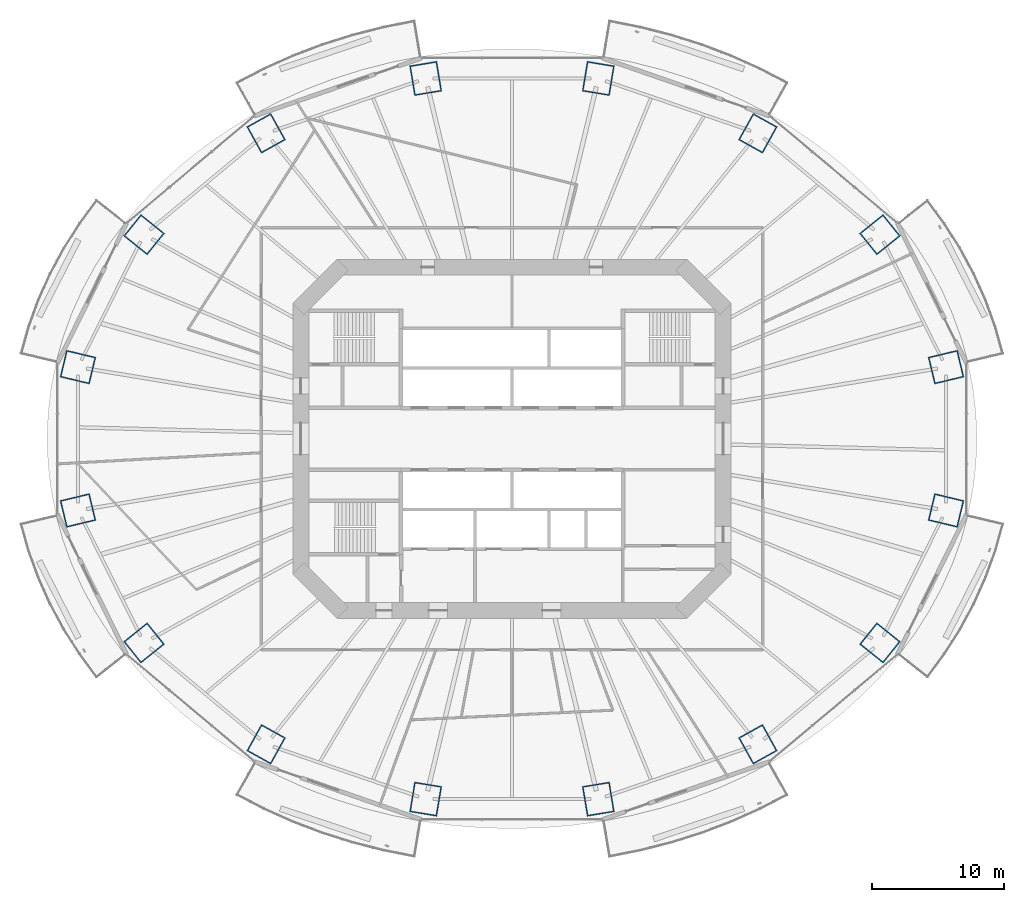
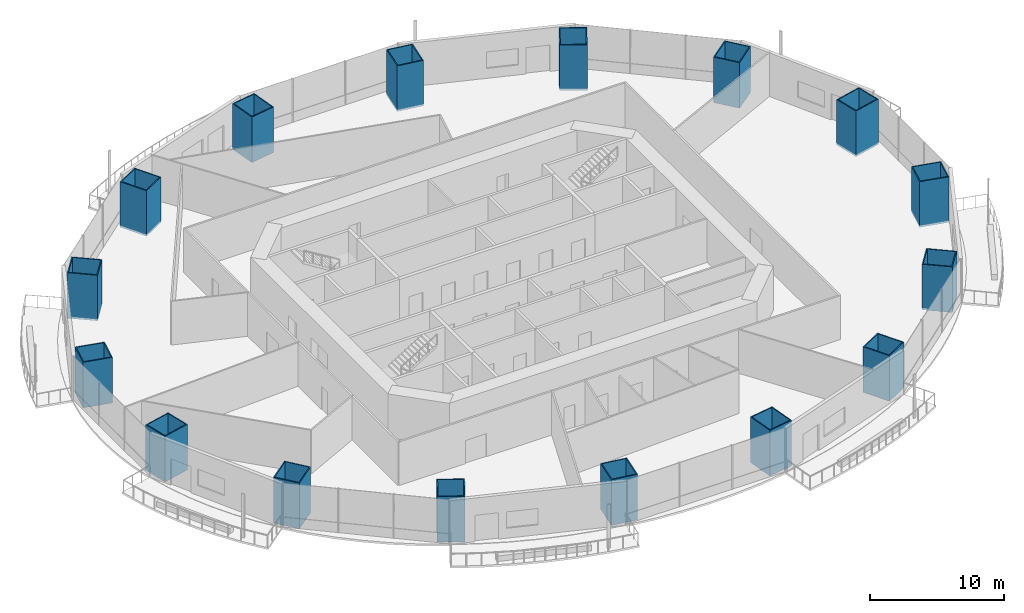
# One storey, part 1 of 22: 16 columns.
"""IFC4 building model written with IfcOpenShell, lengths in metres."""

from ifc_helpers import new_model, si_unit, direction, frame, origin, origin_2d, place, context, subcontext, project, spatial, rectangle, hollow_rectangle, extrude, material, material_profile, profile_set, type_object, element, save


model = new_model("IFC4")

# Units and contexts
model_context = context("Model", 3, precision=1e-05, world=origin(), true_north=direction((0.0, 1.0)))
body_context = subcontext(model_context, "Body", "Model", "MODEL_VIEW")
ifc_project = project(units=[si_unit("LENGTHUNIT", "METRE"), si_unit("AREAUNIT", "SQUARE_METRE"), si_unit("VOLUMEUNIT", "CUBIC_METRE"), si_unit("PLANEANGLEUNIT", "RADIAN"), si_unit("MASSUNIT", "GRAM", prefix="KILO")], contexts=[model_context])

# Site, building, storey
site_placement = place(None, origin())
site = spatial("IfcSite", under=ifc_project, at=site_placement, CompositionType="ELEMENT")
building_placement = place(site_placement, origin())
building = spatial("IfcBuilding", under=site, at=building_placement, Name="Marenthal Gate Tower", CompositionType="ELEMENT")
storey_placement = place(building_placement, frame((0.0, 0.0, 82.800048828125)))
storey = spatial("IfcBuildingStorey", under=building, at=storey_placement, Name="L16", CompositionType="ELEMENT", Elevation=82.800048828125)

# Columns
ifc_material_1 = material(Name="Steel S460", Category="steel")
ifc_material_profile_1 = material_profile(ifc_material_1, hollow_rectangle(XDim=2.10009765625, YDim=2.300048828125, WallThickness=0.0849609375, at=origin_2d()), Name="CFT BOX 2300X2100X85")
ifc_material_2 = material(Name="Concrete 70 MPa", Category="concrete")
ifc_material_profile_2 = material_profile(ifc_material_2, rectangle(XDim=1.929931640625, YDim=2.1298828125, at=origin_2d()), Name="CFT BOX 2300X2100X85 INFILL")
ifc_profile_set = profile_set([ifc_material_profile_1, ifc_material_profile_2], Name="Steel S460 shell, Concrete 70 MPa infill")
column_type = type_object("IfcColumnType", Name="CFT BOX 2300X2100X85", PredefinedType="COLUMN", material=ifc_profile_set)
for number, where, z_axis, x_axis, name in (
    (1, (32.88671875, 5.430908203125, -0.179931640625), (0.0, 0.0, 1.0), (0.232997303195, -0.972477381076, 0.0), "COL-L16-01"),
    (2, (27.8798828125, 15.466064453125, -0.179931640625), (0.0, 0.0, 1.0), (0.626984592904, -0.779031655494, 0.0), "COL-L16-02"),
    (3, (18.62890625, 23.146484375, -0.179931640625), (0.0, 0.0, 1.0), (0.874462276707, -0.485093523576, 0.0), "COL-L16-03"),
    (4, (6.54150390625, 27.302978515625, -0.179931640625), (0.0, 0.0, 1.0), (0.98663707662, -0.162933357659, 0.0), "COL-L16-04"),
    (5, (-6.54150390625, 27.302978515625, -0.179931640625), (0.0, 0.0, 1.0), (0.98663707662, 0.162933357659, 0.0), "COL-L16-05"),
    (6, (-18.62890625, 23.146484375, -0.179931640625), (0.0, 0.0, 1.0), (0.874462276707, 0.485093523576, 0.0), "COL-L16-06"),
    (7, (-27.8798828125, 15.466064453125, -0.179931640625), (0.0, 0.0, 1.0), (0.626984592904, 0.779031655494, 0.0), "COL-L16-07"),
    (8, (-32.88671875, 5.430908203125, -0.179931640625), (0.0, 0.0, 1.0), (0.232997303195, 0.972477381076, 0.0), "COL-L16-08"),
    (9, (-32.88671875, -5.430908203125, -0.179931640625), (0.0, 0.0, 1.0), (-0.232997303195, 0.972477381076, 0.0), "COL-L16-09"),
    (10, (-27.8798828125, -15.466064453125, -0.179931640625), (0.0, 0.0, 1.0), (-0.626984592904, 0.779031655494, 0.0), "COL-L16-10"),
    (11, (-18.62890625, -23.146484375, -0.179931640625), (0.0, 0.0, 1.0), (-0.874462276707, 0.485093523576, 0.0), "COL-L16-11"),
    (12, (-6.54150390625, -27.302978515625, -0.179931640625), (0.0, 0.0, 1.0), (-0.98663707662, 0.162933357659, 0.0), "COL-L16-12"),
    (13, (6.54150390625, -27.302978515625, -0.179931640625), (0.0, 0.0, 1.0), (-0.98663707662, -0.162933357659, 0.0), "COL-L16-13"),
    (14, (18.62890625, -23.146484375, -0.179931640625), (0.0, 0.0, 1.0), (-0.874462276707, -0.485093523576, 0.0), "COL-L16-14"),
    (15, (27.8798828125, -15.466064453125, -0.179931640625), (0.0, 0.0, 1.0), (-0.626984592904, -0.779031655494, 0.0), "COL-L16-15"),
    (16, (32.88671875, -5.430908203125, -0.179931640625), (0.0, 0.0, 1.0), (-0.232997303195, -0.972477381076, 0.0), "COL-L16-16"),
):
    element("IfcColumn", number, at=place(storey_placement, frame(where, z_axis=z_axis, x_axis=x_axis)), inside=storey, type_object=column_type, Name=name, PredefinedType="COLUMN", context=body_context, shape_type="SweptSolid", body=[
        extrude(hollow_rectangle(XDim=2.10009765625, YDim=2.300048828125, WallThickness=0.0849609375, at=origin_2d()), origin(), (0.0, 0.0, 1.0), 4.14990234375),
    ])

save(model, "model.ifc")
